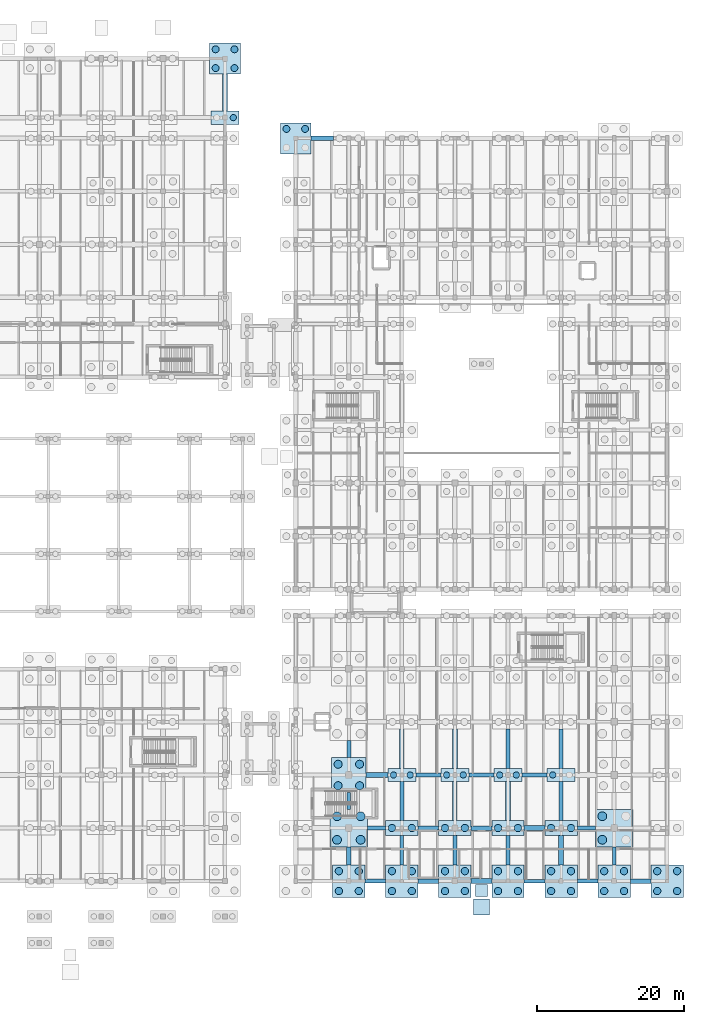
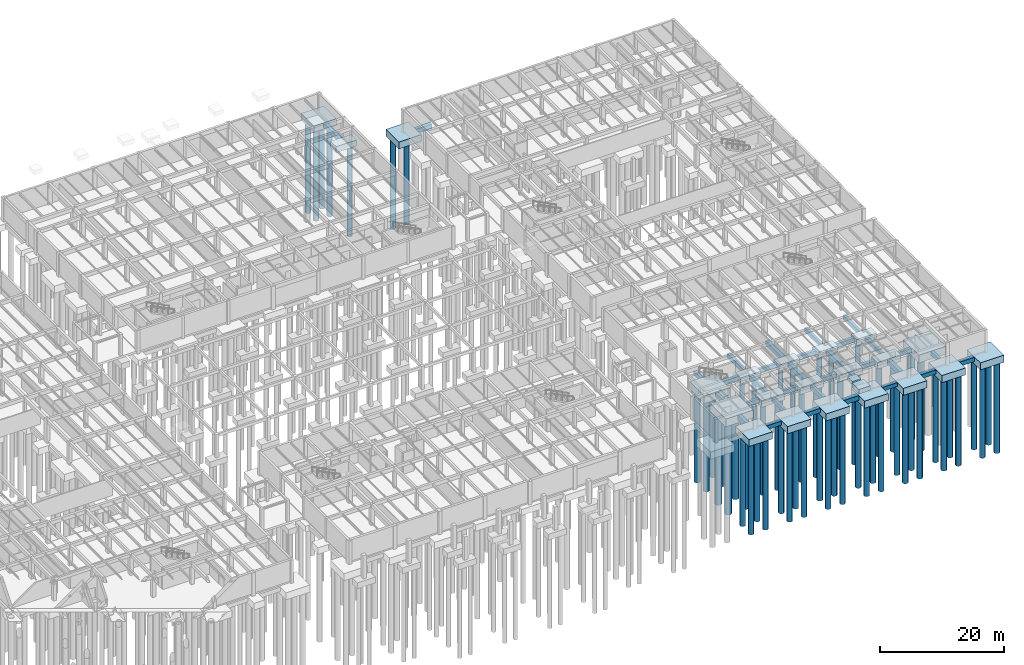
# One storey, part 12 of 63: 60 piles, 56 footings.
"""IFC4 building model written with IfcOpenShell, lengths in metres."""

from ifc_helpers import new_model, si_unit, direction, frame, origin, origin_2d, place, context, subcontext, project, spatial, rectangle, circle, extrude, material, material_profile, profile_set, type_object, element, save


model = new_model("IFC4")

# Units and contexts
model_context = context("Model", 3, precision=1e-05, world=origin(), true_north=direction((0.0, 1.0)))
body_context = subcontext(model_context, "Body", "Model", "MODEL_VIEW")
ifc_project = project(units=[si_unit("LENGTHUNIT", "METRE"), si_unit("AREAUNIT", "SQUARE_METRE"), si_unit("VOLUMEUNIT", "CUBIC_METRE"), si_unit("PLANEANGLEUNIT", "RADIAN"), si_unit("MASSUNIT", "GRAM", prefix="KILO")], contexts=[model_context])

# Site, building, storey
site_placement = place(None, origin())
site = spatial("IfcSite", under=ifc_project, at=site_placement, CompositionType="ELEMENT")
building_placement = place(site_placement, origin())
building = spatial("IfcBuilding", under=site, at=building_placement, Name="Mazaris Harbour Polytechnic", CompositionType="ELEMENT")
storey_placement = place(building_placement, frame((0.0, 0.0, -4.5)))
storey = spatial("IfcBuildingStorey", under=building, at=storey_placement, Name="B1", CompositionType="ELEMENT", Elevation=-4.5)

# Piles
ifc_material_1 = material(Name="Concrete C35/45", Category="concrete")
ifc_material_profile_1 = material_profile(ifc_material_1, circle(Radius=0.5, at=origin_2d()), Name="DIA1000")
ifc_profile_set_1 = profile_set([ifc_material_profile_1], Name="Concrete C35/45")
pile_type_1 = type_object("IfcPileType", Name="Bored Pile 1000", PredefinedType="BORED", material=ifc_profile_set_1)
for number, where, z_axis, x_axis, name in (
    (1, (128.25, 5.85009765625, -1.719970703125), (0.0, 0.0, -1.0), (1.0, 0.0, 0.0), "Bored Pile BP-070-1"),
    (2, (130.949951171875, 5.85009765625, -1.719970703125), (0.0, 0.0, -1.0), (1.0, 0.0, 0.0), "Bored Pile BP-070-2"),
    (3, (128.25, 8.550048828125, -1.719970703125), (0.0, 0.0, -1.0), (1.0, 0.0, 0.0), "Bored Pile BP-070-3"),
    (4, (130.949951171875, 8.550048828125, -1.719970703125), (0.0, 0.0, -1.0), (1.0, 0.0, 0.0), "Bored Pile BP-070-4"),
    (5, (135.449951171875, 5.85009765625, -1.719970703125), (0.0, 0.0, -1.0), (1.0, 0.0, 0.0), "Bored Pile BP-076-1"),
    (6, (138.14990234375, 5.85009765625, -1.719970703125), (0.0, 0.0, -1.0), (1.0, 0.0, 0.0), "Bored Pile BP-076-2"),
    (7, (135.449951171875, 8.550048828125, -1.719970703125), (0.0, 0.0, -1.0), (1.0, 0.0, 0.0), "Bored Pile BP-076-3"),
    (8, (138.14990234375, 8.550048828125, -1.719970703125), (0.0, 0.0, -1.0), (1.0, 0.0, 0.0), "Bored Pile BP-076-4"),
    (9, (135.449951171875, 14.39990234375, -1.6201171875), (0.0, 0.0, -1.0), (1.0, 0.0, 0.0), "Bored Pile BP-077-1"),
    (10, (138.14990234375, 14.39990234375, -1.6201171875), (0.0, 0.0, -1.0), (1.0, 0.0, 0.0), "Bored Pile BP-077-2"),
    (11, (142.64990234375, 5.85009765625, -1.719970703125), (0.0, 0.0, -1.0), (1.0, 0.0, 0.0), "Bored Pile BP-082-1"),
    (12, (145.35009765625, 5.85009765625, -1.719970703125), (0.0, 0.0, -1.0), (1.0, 0.0, 0.0), "Bored Pile BP-082-2"),
    (13, (142.64990234375, 8.550048828125, -1.719970703125), (0.0, 0.0, -1.0), (1.0, 0.0, 0.0), "Bored Pile BP-082-3"),
    (14, (145.35009765625, 8.550048828125, -1.719970703125), (0.0, 0.0, -1.0), (1.0, 0.0, 0.0), "Bored Pile BP-082-4"),
    (15, (142.64990234375, 14.39990234375, -1.6201171875), (0.0, 0.0, -1.0), (1.0, 0.0, 0.0), "Bored Pile BP-083-1"),
    (16, (145.35009765625, 14.39990234375, -1.6201171875), (0.0, 0.0, -1.0), (1.0, 0.0, 0.0), "Bored Pile BP-083-2"),
    (17, (149.85009765625, 5.85009765625, -1.719970703125), (0.0, 0.0, -1.0), (1.0, 0.0, 0.0), "Bored Pile BP-088-1"),
    (18, (152.550048828125, 5.85009765625, -1.719970703125), (0.0, 0.0, -1.0), (1.0, 0.0, 0.0), "Bored Pile BP-088-2"),
    (19, (149.85009765625, 8.550048828125, -1.719970703125), (0.0, 0.0, -1.0), (1.0, 0.0, 0.0), "Bored Pile BP-088-3"),
    (20, (152.550048828125, 8.550048828125, -1.719970703125), (0.0, 0.0, -1.0), (1.0, 0.0, 0.0), "Bored Pile BP-088-4"),
    (21, (149.85009765625, 14.39990234375, -1.6201171875), (0.0, 0.0, -1.0), (1.0, 0.0, 0.0), "Bored Pile BP-089-1"),
    (22, (152.550048828125, 14.39990234375, -1.6201171875), (0.0, 0.0, -1.0), (1.0, 0.0, 0.0), "Bored Pile BP-089-2"),
    (23, (157.050048828125, 5.85009765625, -1.719970703125), (0.0, 0.0, -1.0), (1.0, 0.0, 0.0), "Bored Pile BP-094-1"),
    (24, (159.75, 5.85009765625, -1.719970703125), (0.0, 0.0, -1.0), (1.0, 0.0, 0.0), "Bored Pile BP-094-2"),
    (25, (157.050048828125, 8.550048828125, -1.719970703125), (0.0, 0.0, -1.0), (1.0, 0.0, 0.0), "Bored Pile BP-094-3"),
    (26, (159.75, 8.550048828125, -1.719970703125), (0.0, 0.0, -1.0), (1.0, 0.0, 0.0), "Bored Pile BP-094-4"),
    (27, (157.050048828125, 14.39990234375, -1.6201171875), (0.0, 0.0, -1.0), (1.0, 0.0, 0.0), "Bored Pile BP-095-1"),
    (28, (159.75, 14.39990234375, -1.6201171875), (0.0, 0.0, -1.0), (1.0, 0.0, 0.0), "Bored Pile BP-095-2"),
    (29, (164.25, 5.85009765625, -1.719970703125), (0.0, 0.0, -1.0), (1.0, 0.0, 0.0), "Bored Pile BP-100-1"),
    (30, (166.949951171875, 5.85009765625, -1.719970703125), (0.0, 0.0, -1.0), (1.0, 0.0, 0.0), "Bored Pile BP-100-2"),
    (31, (164.25, 8.550048828125, -1.719970703125), (0.0, 0.0, -1.0), (1.0, 0.0, 0.0), "Bored Pile BP-100-3"),
    (32, (166.949951171875, 8.550048828125, -1.719970703125), (0.0, 0.0, -1.0), (1.0, 0.0, 0.0), "Bored Pile BP-100-4"),
    (33, (171.449951171875, 5.85009765625, -1.719970703125), (0.0, 0.0, -1.0), (1.0, 0.0, 0.0), "Bored Pile BP-106-1"),
    (34, (174.14990234375, 5.85009765625, -1.719970703125), (0.0, 0.0, -1.0), (1.0, 0.0, 0.0), "Bored Pile BP-106-2"),
    (35, (171.449951171875, 8.550048828125, -1.719970703125), (0.0, 0.0, -1.0), (1.0, 0.0, 0.0), "Bored Pile BP-106-3"),
    (36, (174.14990234375, 8.550048828125, -1.719970703125), (0.0, 0.0, -1.0), (1.0, 0.0, 0.0), "Bored Pile BP-106-4"),
):
    element("IfcPile", number, at=place(storey_placement, frame(where, z_axis=z_axis, x_axis=x_axis)), inside=storey, type_object=pile_type_1, Name=name, PredefinedType="BORED", context=body_context, shape_type="SweptSolid", body=[
        extrude(circle(Radius=0.5, at=origin_2d()), origin(), (0.0, 0.0, 1.0), 18.0),
    ])
ifc_material_2 = material(Name="Concrete C35/45", Category="concrete")
ifc_material_profile_2 = material_profile(ifc_material_2, circle(Radius=0.550048828125, at=origin_2d()), Name="DIA1100")
ifc_profile_set_2 = profile_set([ifc_material_profile_2], Name="Concrete C35/45")
pile_type_2 = type_object("IfcPileType", Name="Bored Pile 1100", PredefinedType="BORED", material=ifc_profile_set_2)
for number, where, z_axis, x_axis, name in (
    (37, (128.142578125, 20.142578125, -1.820068359375), (0.0, 0.0, -1.0), (1.0, 0.0, 0.0), "Bored Pile BP-072-1"),
    (38, (131.0576171875, 20.142578125, -1.820068359375), (0.0, 0.0, -1.0), (1.0, 0.0, 0.0), "Bored Pile BP-072-2"),
    (39, (128.142578125, 23.0576171875, -1.820068359375), (0.0, 0.0, -1.0), (1.0, 0.0, 0.0), "Bored Pile BP-072-3"),
    (40, (131.0576171875, 23.0576171875, -1.820068359375), (0.0, 0.0, -1.0), (1.0, 0.0, 0.0), "Bored Pile BP-072-4"),
):
    element("IfcPile", number, at=place(storey_placement, frame(where, z_axis=z_axis, x_axis=x_axis)), inside=storey, type_object=pile_type_2, Name=name, PredefinedType="BORED", context=body_context, shape_type="SweptSolid", body=[
        extrude(circle(Radius=0.550048828125, at=origin_2d()), origin(), (0.0, 0.0, 1.0), 18.0),
    ])
ifc_material_3 = material(Name="Concrete C35/45", Category="concrete")
ifc_material_profile_3 = material_profile(ifc_material_3, circle(Radius=0.60009765625, at=origin_2d()), Name="DIA1200")
ifc_profile_set_3 = profile_set([ifc_material_profile_3], Name="Concrete C35/45")
pile_type_3 = type_object("IfcPileType", Name="Bored Pile 1200", PredefinedType="BORED", material=ifc_profile_set_3)
for number, where, z_axis, x_axis, name in (
    (41, (128.0, 12.800048828125, -1.8701171875), (0.0, 0.0, -1.0), (1.0, 0.0, 0.0), "Bored Pile BP-071-1"),
    (42, (131.199951171875, 12.800048828125, -1.8701171875), (0.0, 0.0, -1.0), (1.0, 0.0, 0.0), "Bored Pile BP-071-2"),
    (43, (128.0, 16.0, -1.8701171875), (0.0, 0.0, -1.0), (1.0, 0.0, 0.0), "Bored Pile BP-071-3"),
    (44, (131.199951171875, 16.0, -1.8701171875), (0.0, 0.0, -1.0), (1.0, 0.0, 0.0), "Bored Pile BP-071-4"),
    (45, (164.0, 12.800048828125, -1.8701171875), (0.0, 0.0, -1.0), (1.0, 0.0, 0.0), "Bored Pile BP-101-1"),
    (46, (164.0, 16.0, -1.8701171875), (0.0, 0.0, -1.0), (1.0, 0.0, 0.0), "Bored Pile BP-101-3"),
):
    element("IfcPile", number, at=place(storey_placement, frame(where, z_axis=z_axis, x_axis=x_axis)), inside=storey, type_object=pile_type_3, Name=name, PredefinedType="BORED", context=body_context, shape_type="SweptSolid", body=[
        extrude(circle(Radius=0.60009765625, at=origin_2d()), origin(), (0.0, 0.0, 1.0), 18.0),
    ])
ifc_material_4 = material(Name="Concrete C35/45", Category="concrete")
ifc_material_profile_4 = material_profile(ifc_material_4, circle(Radius=0.425048828125, at=origin_2d()), Name="DIA850")
ifc_profile_set_4 = profile_set([ifc_material_profile_4], Name="Concrete C35/45")
pile_type_4 = type_object("IfcPileType", Name="Bored Pile 850", PredefinedType="BORED", material=ifc_profile_set_4)
for number, where, z_axis, x_axis, name in (
    (47, (113.92626953125, 110.800048828125, -1.56005859375), (0.0, 0.0, -1.0), (1.0, 0.0, 0.0), "Bored Pile BP-062-2"),
    (48, (135.673828125, 21.60009765625, -1.52001953125), (0.0, 0.0, -1.0), (1.0, 0.0, 0.0), "Bored Pile BP-078-1"),
    (49, (137.92626953125, 21.60009765625, -1.52001953125), (0.0, 0.0, -1.0), (1.0, 0.0, 0.0), "Bored Pile BP-078-2"),
    (50, (142.873779296875, 21.60009765625, -1.52001953125), (0.0, 0.0, -1.0), (1.0, 0.0, 0.0), "Bored Pile BP-084-1"),
    (51, (145.126220703125, 21.60009765625, -1.52001953125), (0.0, 0.0, -1.0), (1.0, 0.0, 0.0), "Bored Pile BP-084-2"),
    (52, (150.07373046875, 21.60009765625, -1.52001953125), (0.0, 0.0, -1.0), (1.0, 0.0, 0.0), "Bored Pile BP-090-1"),
    (53, (152.326171875, 21.60009765625, -1.52001953125), (0.0, 0.0, -1.0), (1.0, 0.0, 0.0), "Bored Pile BP-090-2"),
    (54, (157.273681640625, 21.60009765625, -1.52001953125), (0.0, 0.0, -1.0), (1.0, 0.0, 0.0), "Bored Pile BP-096-1"),
):
    element("IfcPile", number, at=place(storey_placement, frame(where, z_axis=z_axis, x_axis=x_axis)), inside=storey, type_object=pile_type_4, Name=name, PredefinedType="BORED", context=body_context, shape_type="SweptSolid", body=[
        extrude(circle(Radius=0.425048828125, at=origin_2d()), origin(), (0.0, 0.0, 1.0), 18.0),
    ])
ifc_material_5 = material(Name="Concrete C35/45", Category="concrete")
ifc_material_profile_5 = material_profile(ifc_material_5, circle(Radius=0.47509765625, at=origin_2d()), Name="DIA950")
ifc_profile_set_5 = profile_set([ifc_material_profile_5], Name="Concrete C35/45")
pile_type_5 = type_object("IfcPileType", Name="Bored Pile 950", PredefinedType="BORED", material=ifc_profile_set_5)
for number, where, z_axis, x_axis, name in (
    (55, (111.52490234375, 117.52490234375, -1.7099609375), (0.0, 0.0, -1.0), (1.0, 0.0, 0.0), "Bored Pile BP-063-1"),
    (56, (114.074951171875, 117.52490234375, -1.7099609375), (0.0, 0.0, -1.0), (1.0, 0.0, 0.0), "Bored Pile BP-063-2"),
    (57, (111.52490234375, 120.074951171875, -1.7099609375), (0.0, 0.0, -1.0), (1.0, 0.0, 0.0), "Bored Pile BP-063-3"),
    (58, (114.074951171875, 120.074951171875, -1.7099609375), (0.0, 0.0, -1.0), (1.0, 0.0, 0.0), "Bored Pile BP-063-4"),
    (59, (121.125, 109.27490234375, -1.669921875), (0.0, 0.0, -1.0), (1.0, 0.0, 0.0), "Bored Pile BP-249-3"),
    (60, (123.675048828125, 109.27490234375, -1.669921875), (0.0, 0.0, -1.0), (1.0, 0.0, 0.0), "Bored Pile BP-249-4"),
):
    element("IfcPile", number, at=place(storey_placement, frame(where, z_axis=z_axis, x_axis=x_axis)), inside=storey, type_object=pile_type_5, Name=name, PredefinedType="BORED", context=body_context, shape_type="SweptSolid", body=[
        extrude(circle(Radius=0.47509765625, at=origin_2d()), origin(), (0.0, 0.0, 1.0), 18.0),
    ])

# Footings
ifc_material_6 = material(Name="Concrete C35/45", Category="concrete")
footing_type_1 = type_object("IfcFootingType", Name="Pad Footing 1600x1600x750", PredefinedType="PAD_FOOTING", material=ifc_material_6)
footing_1_placement = place(storey_placement, frame((147.60009765625, 5.929931640625, 3.405029296875), z_axis=(0.0, 0.0, 1.0), x_axis=(1.0, 0.0, 0.0)))
element("IfcFooting", 61, at=footing_1_placement, inside=storey, type_object=footing_type_1, Name="RAMP-06 Top Landing Footing", PredefinedType="PAD_FOOTING", context=body_context, shape_type="SweptSolid", body=[
    extrude(rectangle(XDim=1.60009765625, YDim=1.60009765625, at=origin_2d()), origin(), (0.0, 0.0, 1.0), 0.75),
])
ifc_material_7 = material(Name="Concrete C35/45", Category="concrete")
footing_type_2 = type_object("IfcFootingType", Name="Pad Footing 2200x2200x900", PredefinedType="PAD_FOOTING", material=ifc_material_7)
footing_2_placement = place(storey_placement, frame((147.60009765625, 3.679931640625, 3.300048828125), z_axis=(0.0, 0.0, 1.0), x_axis=(1.0, 0.0, 0.0)))
element("IfcFooting", 62, at=footing_2_placement, inside=storey, type_object=footing_type_2, Name="RAMP-06 Bottom Landing Footing", PredefinedType="PAD_FOOTING", context=body_context, shape_type="SweptSolid", body=[
    extrude(rectangle(XDim=2.199951171875, YDim=2.199951171875, at=origin_2d()), origin(), (0.0, 0.0, 1.0), 0.89990234375),
])
ifc_material_8 = material(Name="Concrete C35/45", Category="concrete")
footing_type_3 = type_object("IfcFootingType", Name="Pile Cap 3800x1800x1200", PredefinedType="PILE_CAP", material=ifc_material_8)
for number, where, z_axis, x_axis, name in (
    (63, (112.800048828125, 110.800048828125, -1.66015625), (0.0, 0.0, 1.0), (1.0, 0.0, 0.0), "Pile Cap CAP-062"),
    (64, (136.800048828125, 21.60009765625, -1.6201171875), (0.0, 0.0, 1.0), (1.0, 0.0, 0.0), "Pile Cap CAP-078"),
    (65, (144.0, 21.60009765625, -1.6201171875), (0.0, 0.0, 1.0), (1.0, 0.0, 0.0), "Pile Cap CAP-084"),
    (66, (151.199951171875, 21.60009765625, -1.6201171875), (0.0, 0.0, 1.0), (1.0, 0.0, 0.0), "Pile Cap CAP-090"),
    (67, (158.39990234375, 21.60009765625, -1.6201171875), (0.0, 0.0, 1.0), (1.0, 0.0, 0.0), "Pile Cap CAP-096"),
):
    element("IfcFooting", number, at=place(storey_placement, frame(where, z_axis=z_axis, x_axis=x_axis)), inside=storey, type_object=footing_type_3, Name=name, PredefinedType="PILE_CAP", context=body_context, shape_type="SweptSolid", body=[
        extrude(rectangle(XDim=3.800048828125, YDim=1.800048828125, at=origin_2d()), origin(), (0.0, 0.0, 1.0), 1.199951171875),
    ])
ifc_material_9 = material(Name="Concrete C35/45", Category="concrete")
footing_type_4 = type_object("IfcFootingType", Name="Pile Cap 4200x4200x1350", PredefinedType="PILE_CAP", material=ifc_material_9)
for number, where, z_axis, x_axis, name in (
    (68, (112.800048828125, 118.800048828125, -1.81005859375), (0.0, 0.0, 1.0), (1.0, 0.0, 0.0), "Pile Cap CAP-063"),
    (69, (122.39990234375, 108.0, -1.77001953125), (0.0, 0.0, 1.0), (1.0, 0.0, 0.0), "Pile Cap CAP-249"),
):
    element("IfcFooting", number, at=place(storey_placement, frame(where, z_axis=z_axis, x_axis=x_axis)), inside=storey, type_object=footing_type_4, Name=name, PredefinedType="PILE_CAP", context=body_context, shape_type="SweptSolid", body=[
        extrude(rectangle(XDim=4.199951171875, YDim=4.199951171875, at=origin_2d()), origin(), (0.0, 0.0, 1.0), 1.35009765625),
    ])
ifc_material_10 = material(Name="Concrete C35/45", Category="concrete")
footing_type_5 = type_object("IfcFootingType", Name="Pile Cap 4400x2000x1300", PredefinedType="PILE_CAP", material=ifc_material_10)
for number, where, z_axis, x_axis, name in (
    (70, (136.800048828125, 14.39990234375, -1.72021484375), (0.0, 0.0, 1.0), (1.0, 0.0, 0.0), "Pile Cap CAP-077"),
    (71, (144.0, 14.39990234375, -1.72021484375), (0.0, 0.0, 1.0), (1.0, 0.0, 0.0), "Pile Cap CAP-083"),
    (72, (151.199951171875, 14.39990234375, -1.72021484375), (0.0, 0.0, 1.0), (1.0, 0.0, 0.0), "Pile Cap CAP-089"),
    (73, (158.39990234375, 14.39990234375, -1.72021484375), (0.0, 0.0, 1.0), (1.0, 0.0, 0.0), "Pile Cap CAP-095"),
):
    element("IfcFooting", number, at=place(storey_placement, frame(where, z_axis=z_axis, x_axis=x_axis)), inside=storey, type_object=footing_type_5, Name=name, PredefinedType="PILE_CAP", context=body_context, shape_type="SweptSolid", body=[
        extrude(rectangle(XDim=4.39990234375, YDim=2.0, at=origin_2d()), origin(), (0.0, 0.0, 1.0), 1.300048828125),
    ])
ifc_material_11 = material(Name="Concrete C35/45", Category="concrete")
footing_type_6 = type_object("IfcFootingType", Name="Pile Cap 4400x4400x1400", PredefinedType="PILE_CAP", material=ifc_material_11)
for number, where, z_axis, x_axis, name in (
    (74, (129.60009765625, 7.199951171875, -1.820068359375), (0.0, 0.0, 1.0), (1.0, 0.0, 0.0), "Pile Cap CAP-070"),
    (75, (136.800048828125, 7.199951171875, -1.820068359375), (0.0, 0.0, 1.0), (1.0, 0.0, 0.0), "Pile Cap CAP-076"),
    (76, (144.0, 7.199951171875, -1.820068359375), (0.0, 0.0, 1.0), (1.0, 0.0, 0.0), "Pile Cap CAP-082"),
    (77, (151.199951171875, 7.199951171875, -1.820068359375), (0.0, 0.0, 1.0), (1.0, 0.0, 0.0), "Pile Cap CAP-088"),
    (78, (158.39990234375, 7.199951171875, -1.820068359375), (0.0, 0.0, 1.0), (1.0, 0.0, 0.0), "Pile Cap CAP-094"),
    (79, (165.60009765625, 7.199951171875, -1.820068359375), (0.0, 0.0, 1.0), (1.0, 0.0, 0.0), "Pile Cap CAP-100"),
    (80, (172.800048828125, 7.199951171875, -1.820068359375), (0.0, 0.0, 1.0), (1.0, 0.0, 0.0), "Pile Cap CAP-106"),
):
    element("IfcFooting", number, at=place(storey_placement, frame(where, z_axis=z_axis, x_axis=x_axis)), inside=storey, type_object=footing_type_6, Name=name, PredefinedType="PILE_CAP", context=body_context, shape_type="SweptSolid", body=[
        extrude(rectangle(XDim=4.39990234375, YDim=4.39990234375, at=origin_2d()), origin(), (0.0, 0.0, 1.0), 1.39990234375),
    ])
ifc_material_12 = material(Name="Concrete C35/45", Category="concrete")
footing_type_7 = type_object("IfcFootingType", Name="Pile Cap 4700x4700x1500", PredefinedType="PILE_CAP", material=ifc_material_12)
footing_3_placement = place(storey_placement, frame((129.60009765625, 21.60009765625, -1.919921875), z_axis=(0.0, 0.0, 1.0), x_axis=(1.0, 0.0, 0.0)))
element("IfcFooting", 81, at=footing_3_placement, inside=storey, type_object=footing_type_7, Name="Pile Cap CAP-072", PredefinedType="PILE_CAP", context=body_context, shape_type="SweptSolid", body=[
    extrude(rectangle(XDim=4.699951171875, YDim=4.699951171875, at=origin_2d()), origin(), (0.0, 0.0, 1.0), 1.5),
])
ifc_material_13 = material(Name="Concrete C35/45", Category="concrete")
footing_type_8 = type_object("IfcFootingType", Name="Pile Cap 5100x5100x1550", PredefinedType="PILE_CAP", material=ifc_material_13)
for number, where, z_axis, x_axis, name in (
    (82, (129.60009765625, 14.39990234375, -1.97021484375), (0.0, 0.0, 1.0), (1.0, 0.0, 0.0), "Pile Cap CAP-071"),
    (83, (165.60009765625, 14.39990234375, -1.97021484375), (0.0, 0.0, 1.0), (1.0, 0.0, 0.0), "Pile Cap CAP-101"),
):
    element("IfcFooting", number, at=place(storey_placement, frame(where, z_axis=z_axis, x_axis=x_axis)), inside=storey, type_object=footing_type_8, Name=name, PredefinedType="PILE_CAP", context=body_context, shape_type="SweptSolid", body=[
        extrude(rectangle(XDim=5.10009765625, YDim=5.10009765625, at=origin_2d()), origin(), (0.0, 0.0, 1.0), 1.550048828125),
    ])
ifc_material_14 = material(Name="Concrete C35/45", Category="concrete")
ifc_material_profile_6 = material_profile(ifc_material_14, rectangle(XDim=0.5, YDim=0.75, at=origin_2d()), Name="RECT500x750")
ifc_profile_set_6 = profile_set([ifc_material_profile_6], Name="Concrete C35/45")
footing_type_9 = type_object("IfcFootingType", Name="Seismic Tie Beam 500x750", PredefinedType="FOOTING_BEAM", material=ifc_profile_set_6)
footing_4_placement = place(storey_placement, frame((153.39990234375, 7.199951171875, -0.8349609375), z_axis=(1.0, 0.0, 0.0), x_axis=(0.0, 1.0, 0.0)))
element("IfcFooting", 84, at=footing_4_placement, inside=storey, type_object=footing_type_9, Name="Seismic Tie Beam FTB-108", PredefinedType="FOOTING_BEAM", context=body_context, shape_type="SweptSolid", body=[
    extrude(rectangle(XDim=0.5, YDim=0.75, at=origin_2d()), origin(), (0.0, 0.0, 1.0), 2.800048828125),
])
footing_5_placement = place(storey_placement, frame((132.14990234375, 14.39990234375, -0.8349609375), z_axis=(1.0, 0.0, 0.0), x_axis=(0.0, 1.0, 0.0)))
element("IfcFooting", 85, at=footing_5_placement, inside=storey, type_object=footing_type_9, Name="Seismic Tie Beam FTB-112", PredefinedType="FOOTING_BEAM", context=body_context, shape_type="SweptSolid", body=[
    extrude(rectangle(XDim=0.5, YDim=0.75, at=origin_2d()), origin(), (0.0, 0.0, 1.0), 2.4501953125),
])
footing_6_placement = place(storey_placement, frame((160.60009765625, 14.39990234375, -0.8349609375), z_axis=(1.0, 0.0, 0.0), x_axis=(0.0, 1.0, 0.0)))
element("IfcFooting", 86, at=footing_6_placement, inside=storey, type_object=footing_type_9, Name="Seismic Tie Beam FTB-116", PredefinedType="FOOTING_BEAM", context=body_context, shape_type="SweptSolid", body=[
    extrude(rectangle(XDim=0.5, YDim=0.75, at=origin_2d()), origin(), (0.0, 0.0, 1.0), 2.449951171875),
])
footing_7_placement = place(storey_placement, frame((138.699951171875, 21.60009765625, -0.8349609375), z_axis=(1.0, 0.0, 0.0), x_axis=(0.0, 1.0, 0.0)))
element("IfcFooting", 87, at=footing_7_placement, inside=storey, type_object=footing_type_9, Name="Seismic Tie Beam FTB-120", PredefinedType="FOOTING_BEAM", context=body_context, shape_type="SweptSolid", body=[
    extrude(rectangle(XDim=0.5, YDim=0.75, at=origin_2d()), origin(), (0.0, 0.0, 1.0), 3.400146484375),
])
footing_8_placement = place(storey_placement, frame((129.60009765625, 16.949951171875, -0.8349609375), z_axis=(0.0, 1.0, 0.0), x_axis=(-1.0, 0.0, 0.0)))
element("IfcFooting", 88, at=footing_8_placement, inside=storey, type_object=footing_type_9, Name="Seismic Tie Beam FTB-152", PredefinedType="FOOTING_BEAM", context=body_context, shape_type="SweptSolid", body=[
    extrude(rectangle(XDim=0.5, YDim=0.75, at=origin_2d()), origin(), (0.0, 0.0, 1.0), 2.300048828125),
])
footing_9_placement = place(storey_placement, frame((136.800048828125, 9.39990234375, -0.8349609375), z_axis=(0.0, 1.0, 0.0), x_axis=(-1.0, 0.0, 0.0)))
element("IfcFooting", 89, at=footing_9_placement, inside=storey, type_object=footing_type_9, Name="Seismic Tie Beam FTB-156", PredefinedType="FOOTING_BEAM", context=body_context, shape_type="SweptSolid", body=[
    extrude(rectangle(XDim=0.5, YDim=0.75, at=origin_2d()), origin(), (0.0, 0.0, 1.0), 4.0),
])
footing_10_placement = place(storey_placement, frame((151.199951171875, 22.5, -0.8349609375), z_axis=(0.0, 1.0, 0.0), x_axis=(-1.0, 0.0, 0.0)))
element("IfcFooting", 90, at=footing_10_placement, inside=storey, type_object=footing_type_9, Name="Seismic Tie Beam FTB-168", PredefinedType="FOOTING_BEAM", context=body_context, shape_type="SweptSolid", body=[
    extrude(rectangle(XDim=0.5, YDim=0.75, at=origin_2d()), origin(), (0.0, 0.0, 1.0), 5.35009765625),
])
footing_11_placement = place(storey_placement, frame((158.39990234375, 15.39990234375, -0.8349609375), z_axis=(0.0, 1.0, 0.0), x_axis=(-1.0, 0.0, 0.0)))
element("IfcFooting", 91, at=footing_11_placement, inside=storey, type_object=footing_type_9, Name="Seismic Tie Beam FTB-172", PredefinedType="FOOTING_BEAM", context=body_context, shape_type="SweptSolid", body=[
    extrude(rectangle(XDim=0.5, YDim=0.75, at=origin_2d()), origin(), (0.0, 0.0, 1.0), 5.300048828125),
])
footing_12_placement = place(storey_placement, frame((165.60009765625, 9.39990234375, -0.8349609375), z_axis=(0.0, 1.0, 0.0), x_axis=(-1.0, 0.0, 0.0)))
element("IfcFooting", 92, at=footing_12_placement, inside=storey, type_object=footing_type_9, Name="Seismic Tie Beam FTB-176", PredefinedType="FOOTING_BEAM", context=body_context, shape_type="SweptSolid", body=[
    extrude(rectangle(XDim=0.5, YDim=0.75, at=origin_2d()), origin(), (0.0, 0.0, 1.0), 2.4501953125),
])
ifc_material_15 = material(Name="Concrete C35/45", Category="concrete")
ifc_material_profile_7 = material_profile(ifc_material_15, rectangle(XDim=0.550048828125, YDim=0.800048828125, at=origin_2d()), Name="RECT550x800")
ifc_profile_set_7 = profile_set([ifc_material_profile_7], Name="Concrete C35/45")
footing_type_10 = type_object("IfcFootingType", Name="Seismic Tie Beam 550x800", PredefinedType="FOOTING_BEAM", material=ifc_profile_set_7)
footing_13_placement = place(storey_placement, frame((131.800048828125, 7.199951171875, -0.860107421875), z_axis=(1.0, 0.0, 0.0), x_axis=(0.0, 1.0, 0.0)))
element("IfcFooting", 93, at=footing_13_placement, inside=storey, type_object=footing_type_10, Name="Seismic Tie Beam FTB-105", PredefinedType="FOOTING_BEAM", context=body_context, shape_type="SweptSolid", body=[
    extrude(rectangle(XDim=0.550048828125, YDim=0.800048828125, at=origin_2d()), origin(), (0.0, 0.0, 1.0), 2.800048828125),
])
footing_14_placement = place(storey_placement, frame((160.60009765625, 7.199951171875, -0.860107421875), z_axis=(1.0, 0.0, 0.0), x_axis=(0.0, 1.0, 0.0)))
element("IfcFooting", 94, at=footing_14_placement, inside=storey, type_object=footing_type_10, Name="Seismic Tie Beam FTB-109", PredefinedType="FOOTING_BEAM", context=body_context, shape_type="SweptSolid", body=[
    extrude(rectangle(XDim=0.550048828125, YDim=0.800048828125, at=origin_2d()), origin(), (0.0, 0.0, 1.0), 2.7998046875),
])
footing_15_placement = place(storey_placement, frame((139.0, 14.39990234375, -0.860107421875), z_axis=(1.0, 0.0, 0.0), x_axis=(0.0, 1.0, 0.0)))
element("IfcFooting", 95, at=footing_15_placement, inside=storey, type_object=footing_type_10, Name="Seismic Tie Beam FTB-113", PredefinedType="FOOTING_BEAM", context=body_context, shape_type="SweptSolid", body=[
    extrude(rectangle(XDim=0.550048828125, YDim=0.800048828125, at=origin_2d()), origin(), (0.0, 0.0, 1.0), 2.800048828125),
])
footing_16_placement = place(storey_placement, frame((145.89990234375, 21.60009765625, -0.860107421875), z_axis=(1.0, 0.0, 0.0), x_axis=(0.0, 1.0, 0.0)))
element("IfcFooting", 96, at=footing_16_placement, inside=storey, type_object=footing_type_10, Name="Seismic Tie Beam FTB-121", PredefinedType="FOOTING_BEAM", context=body_context, shape_type="SweptSolid", body=[
    extrude(rectangle(XDim=0.550048828125, YDim=0.800048828125, at=origin_2d()), origin(), (0.0, 0.0, 1.0), 3.400146484375),
])
footing_17_placement = place(storey_placement, frame((129.60009765625, 23.949951171875, -0.860107421875), z_axis=(0.0, 1.0, 0.0), x_axis=(-1.0, 0.0, 0.0)))
element("IfcFooting", 97, at=footing_17_placement, inside=storey, type_object=footing_type_10, Name="Seismic Tie Beam FTB-153", PredefinedType="FOOTING_BEAM", context=body_context, shape_type="SweptSolid", body=[
    extrude(rectangle(XDim=0.550048828125, YDim=0.800048828125, at=origin_2d()), origin(), (0.0, 0.0, 1.0), 2.300048828125),
])
footing_18_placement = place(storey_placement, frame((136.800048828125, 15.39990234375, -0.860107421875), z_axis=(0.0, 1.0, 0.0), x_axis=(-1.0, 0.0, 0.0)))
element("IfcFooting", 98, at=footing_18_placement, inside=storey, type_object=footing_type_10, Name="Seismic Tie Beam FTB-157", PredefinedType="FOOTING_BEAM", context=body_context, shape_type="SweptSolid", body=[
    extrude(rectangle(XDim=0.550048828125, YDim=0.800048828125, at=origin_2d()), origin(), (0.0, 0.0, 1.0), 5.300048828125),
])
footing_19_placement = place(storey_placement, frame((144.0, 9.39990234375, -0.860107421875), z_axis=(0.0, 1.0, 0.0), x_axis=(-1.0, 0.0, 0.0)))
element("IfcFooting", 99, at=footing_19_placement, inside=storey, type_object=footing_type_10, Name="Seismic Tie Beam FTB-161", PredefinedType="FOOTING_BEAM", context=body_context, shape_type="SweptSolid", body=[
    extrude(rectangle(XDim=0.550048828125, YDim=0.800048828125, at=origin_2d()), origin(), (0.0, 0.0, 1.0), 4.0),
])
footing_20_placement = place(storey_placement, frame((158.39990234375, 22.5, -0.860107421875), z_axis=(0.0, 1.0, 0.0), x_axis=(-1.0, 0.0, 0.0)))
element("IfcFooting", 100, at=footing_20_placement, inside=storey, type_object=footing_type_10, Name="Seismic Tie Beam FTB-173", PredefinedType="FOOTING_BEAM", context=body_context, shape_type="SweptSolid", body=[
    extrude(rectangle(XDim=0.550048828125, YDim=0.800048828125, at=origin_2d()), origin(), (0.0, 0.0, 1.0), 5.35009765625),
])
ifc_material_16 = material(Name="Concrete C35/45", Category="concrete")
ifc_material_profile_8 = material_profile(ifc_material_16, rectangle(XDim=0.60009765625, YDim=0.85009765625, at=origin_2d()), Name="RECT600x850")
ifc_profile_set_8 = profile_set([ifc_material_profile_8], Name="Concrete C35/45")
footing_type_11 = type_object("IfcFootingType", Name="Seismic Tie Beam 600x850", PredefinedType="FOOTING_BEAM", material=ifc_profile_set_8)
for number, where, z_axis, x_axis, name in (
    (101, (139.0, 7.199951171875, -0.885009765625), (1.0, 0.0, 0.0), (0.0, 1.0, 0.0), "Seismic Tie Beam FTB-106"),
    (102, (167.800048828125, 7.199951171875, -0.885009765625), (1.0, 0.0, 0.0), (0.0, 1.0, 0.0), "Seismic Tie Beam FTB-110"),
    (103, (146.199951171875, 14.39990234375, -0.885009765625), (1.0, 0.0, 0.0), (0.0, 1.0, 0.0), "Seismic Tie Beam FTB-114"),
):
    element("IfcFooting", number, at=place(storey_placement, frame(where, z_axis=z_axis, x_axis=x_axis)), inside=storey, type_object=footing_type_11, Name=name, PredefinedType="FOOTING_BEAM", context=body_context, shape_type="SweptSolid", body=[
        extrude(rectangle(XDim=0.60009765625, YDim=0.85009765625, at=origin_2d()), origin(), (0.0, 0.0, 1.0), 2.800048828125),
    ])
footing_21_placement = place(storey_placement, frame((153.10009765625, 21.60009765625, -0.885009765625), z_axis=(1.0, 0.0, 0.0), x_axis=(0.0, 1.0, 0.0)))
element("IfcFooting", 104, at=footing_21_placement, inside=storey, type_object=footing_type_11, Name="Seismic Tie Beam FTB-122", PredefinedType="FOOTING_BEAM", context=body_context, shape_type="SweptSolid", body=[
    extrude(rectangle(XDim=0.60009765625, YDim=0.85009765625, at=origin_2d()), origin(), (0.0, 0.0, 1.0), 3.39990234375),
])
footing_22_placement = place(storey_placement, frame((136.800048828125, 22.5, -0.885009765625), z_axis=(0.0, 1.0, 0.0), x_axis=(-1.0, 0.0, 0.0)))
element("IfcFooting", 105, at=footing_22_placement, inside=storey, type_object=footing_type_11, Name="Seismic Tie Beam FTB-158", PredefinedType="FOOTING_BEAM", context=body_context, shape_type="SweptSolid", body=[
    extrude(rectangle(XDim=0.60009765625, YDim=0.85009765625, at=origin_2d()), origin(), (0.0, 0.0, 1.0), 5.35009765625),
])
footing_23_placement = place(storey_placement, frame((144.0, 15.39990234375, -0.885009765625), z_axis=(0.0, 1.0, 0.0), x_axis=(-1.0, 0.0, 0.0)))
element("IfcFooting", 106, at=footing_23_placement, inside=storey, type_object=footing_type_11, Name="Seismic Tie Beam FTB-162", PredefinedType="FOOTING_BEAM", context=body_context, shape_type="SweptSolid", body=[
    extrude(rectangle(XDim=0.60009765625, YDim=0.85009765625, at=origin_2d()), origin(), (0.0, 0.0, 1.0), 5.300048828125),
])
footing_24_placement = place(storey_placement, frame((151.199951171875, 9.39990234375, -0.885009765625), z_axis=(0.0, 1.0, 0.0), x_axis=(-1.0, 0.0, 0.0)))
element("IfcFooting", 107, at=footing_24_placement, inside=storey, type_object=footing_type_11, Name="Seismic Tie Beam FTB-166", PredefinedType="FOOTING_BEAM", context=body_context, shape_type="SweptSolid", body=[
    extrude(rectangle(XDim=0.60009765625, YDim=0.85009765625, at=origin_2d()), origin(), (0.0, 0.0, 1.0), 4.0),
])
ifc_material_17 = material(Name="Concrete C35/45", Category="concrete")
ifc_material_profile_9 = material_profile(ifc_material_17, rectangle(XDim=0.64990234375, YDim=0.89990234375, at=origin_2d()), Name="RECT650x900")
ifc_profile_set_9 = profile_set([ifc_material_profile_9], Name="Concrete C35/45")
footing_type_12 = type_object("IfcFootingType", Name="Seismic Tie Beam 650x900", PredefinedType="FOOTING_BEAM", material=ifc_profile_set_9)
footing_25_placement = place(storey_placement, frame((112.800048828125, 111.699951171875, -0.909912109375), z_axis=(0.0, 1.0, 0.0), x_axis=(-1.0, 0.0, 0.0)))
element("IfcFooting", 108, at=footing_25_placement, inside=storey, type_object=footing_type_12, Name="Seismic Tie Beam FTB-103", PredefinedType="FOOTING_BEAM", context=body_context, shape_type="SweptSolid", body=[
    extrude(rectangle(XDim=0.64990234375, YDim=0.89990234375, at=origin_2d()), origin(), (0.0, 0.0, 1.0), 5.0),
])
for number, where, z_axis, x_axis, name in (
    (109, (146.199951171875, 7.199951171875, -0.909912109375), (1.0, 0.0, 0.0), (0.0, 1.0, 0.0), "Seismic Tie Beam FTB-107"),
    (110, (153.39990234375, 14.39990234375, -0.909912109375), (1.0, 0.0, 0.0), (0.0, 1.0, 0.0), "Seismic Tie Beam FTB-115"),
):
    element("IfcFooting", number, at=place(storey_placement, frame(where, z_axis=z_axis, x_axis=x_axis)), inside=storey, type_object=footing_type_12, Name=name, PredefinedType="FOOTING_BEAM", context=body_context, shape_type="SweptSolid", body=[
        extrude(rectangle(XDim=0.64990234375, YDim=0.89990234375, at=origin_2d()), origin(), (0.0, 0.0, 1.0), 2.800048828125),
    ])
footing_26_placement = place(storey_placement, frame((131.949951171875, 21.60009765625, -0.909912109375), z_axis=(1.0, 0.0, 0.0), x_axis=(0.0, 1.0, 0.0)))
element("IfcFooting", 111, at=footing_26_placement, inside=storey, type_object=footing_type_12, Name="Seismic Tie Beam FTB-119", PredefinedType="FOOTING_BEAM", context=body_context, shape_type="SweptSolid", body=[
    extrude(rectangle(XDim=0.64990234375, YDim=0.89990234375, at=origin_2d()), origin(), (0.0, 0.0, 1.0), 2.949951171875),
])
footing_27_placement = place(storey_placement, frame((129.60009765625, 9.39990234375, -0.909912109375), z_axis=(0.0, 1.0, 0.0), x_axis=(-1.0, 0.0, 0.0)))
element("IfcFooting", 112, at=footing_27_placement, inside=storey, type_object=footing_type_12, Name="Seismic Tie Beam FTB-151", PredefinedType="FOOTING_BEAM", context=body_context, shape_type="SweptSolid", body=[
    extrude(rectangle(XDim=0.64990234375, YDim=0.89990234375, at=origin_2d()), origin(), (0.0, 0.0, 1.0), 2.4501953125),
])
footing_28_placement = place(storey_placement, frame((144.0, 22.5, -0.909912109375), z_axis=(0.0, 1.0, 0.0), x_axis=(-1.0, 0.0, 0.0)))
element("IfcFooting", 113, at=footing_28_placement, inside=storey, type_object=footing_type_12, Name="Seismic Tie Beam FTB-163", PredefinedType="FOOTING_BEAM", context=body_context, shape_type="SweptSolid", body=[
    extrude(rectangle(XDim=0.64990234375, YDim=0.89990234375, at=origin_2d()), origin(), (0.0, 0.0, 1.0), 5.35009765625),
])
footing_29_placement = place(storey_placement, frame((151.199951171875, 15.39990234375, -0.909912109375), z_axis=(0.0, 1.0, 0.0), x_axis=(-1.0, 0.0, 0.0)))
element("IfcFooting", 114, at=footing_29_placement, inside=storey, type_object=footing_type_12, Name="Seismic Tie Beam FTB-167", PredefinedType="FOOTING_BEAM", context=body_context, shape_type="SweptSolid", body=[
    extrude(rectangle(XDim=0.64990234375, YDim=0.89990234375, at=origin_2d()), origin(), (0.0, 0.0, 1.0), 5.300048828125),
])
footing_30_placement = place(storey_placement, frame((158.39990234375, 9.39990234375, -0.909912109375), z_axis=(0.0, 1.0, 0.0), x_axis=(-1.0, 0.0, 0.0)))
element("IfcFooting", 115, at=footing_30_placement, inside=storey, type_object=footing_type_12, Name="Seismic Tie Beam FTB-171", PredefinedType="FOOTING_BEAM", context=body_context, shape_type="SweptSolid", body=[
    extrude(rectangle(XDim=0.64990234375, YDim=0.89990234375, at=origin_2d()), origin(), (0.0, 0.0, 1.0), 4.0),
])
footing_31_placement = place(storey_placement, frame((124.5, 108.0, -0.909912109375), z_axis=(1.0, 0.0, 0.0), x_axis=(0.0, 1.0, 0.0)))
element("IfcFooting", 116, at=footing_31_placement, inside=storey, type_object=footing_type_12, Name="Seismic Tie Beam FTB-459", PredefinedType="FOOTING_BEAM", context=body_context, shape_type="SweptSolid", body=[
    extrude(rectangle(XDim=0.64990234375, YDim=0.89990234375, at=origin_2d()), origin(), (0.0, 0.0, 1.0), 3.0),
])

save(model, "model.ifc")
